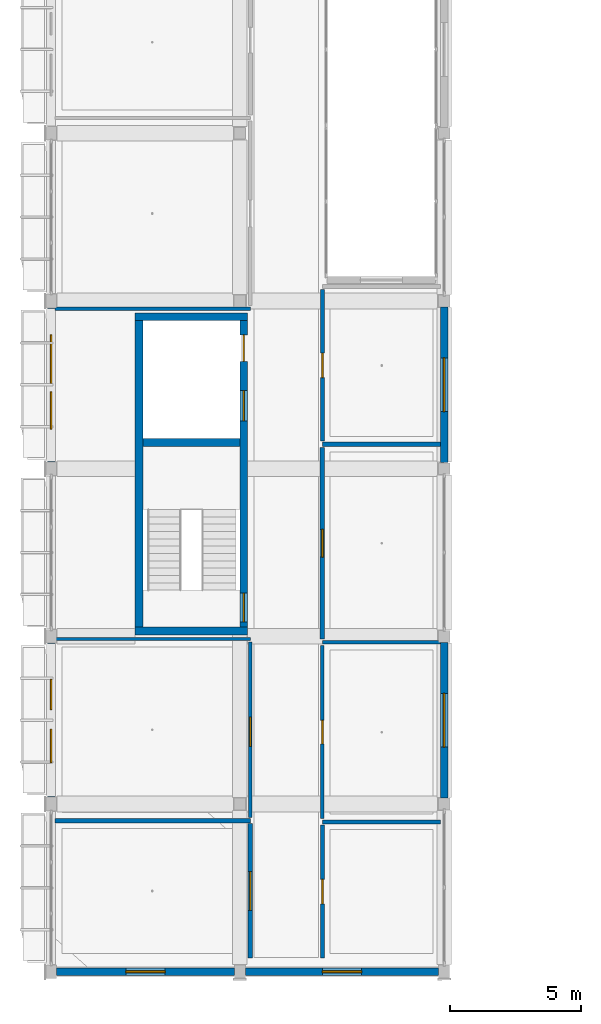
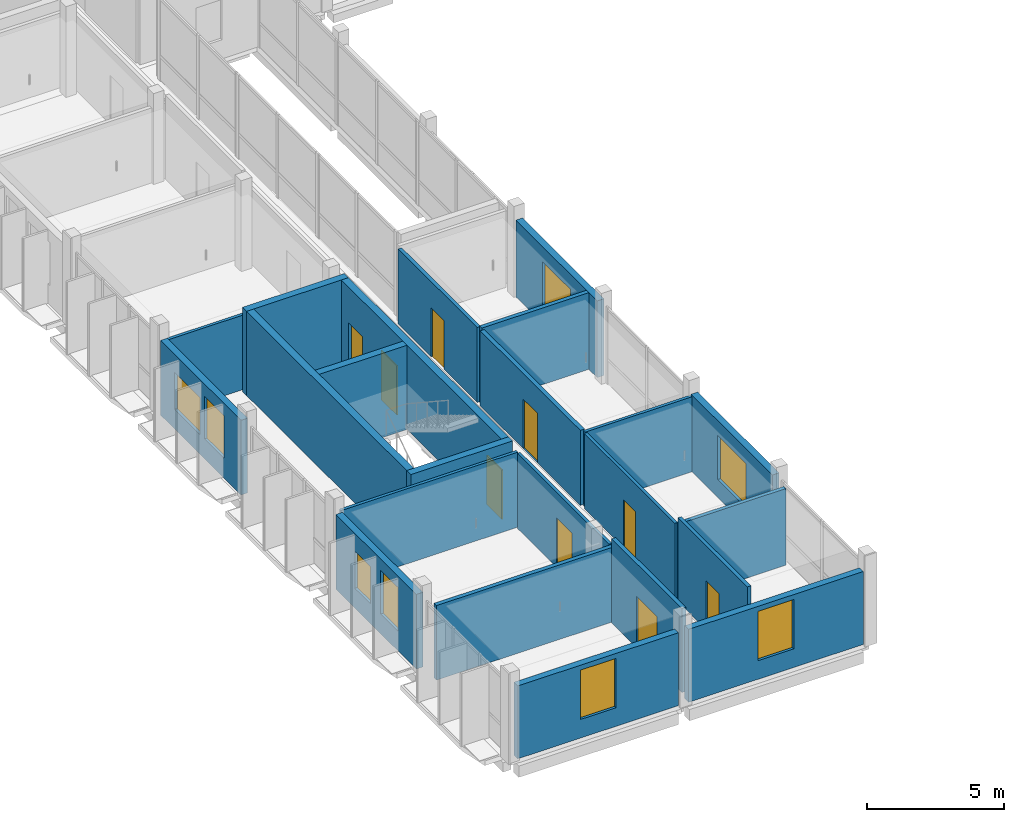
# One storey, part 55 of 86: 23 walls, 9 doors, 8 windows, 17 openings.
"""IFC4 building model written with IfcOpenShell, lengths in metres."""

from ifc_helpers import new_model, si_unit, derived_unit, direction, frame, frame_2d, origin, origin_with_axes, place, context, subcontext, project, spatial, rectangle, extrude, material, layer, layer_set, type_object, element, fill, save


model = new_model("IFC4")

# Units and contexts
model_context = context("Model", 3, precision=1e-05, world=origin(), true_north=direction((0.0, 1.0)))
body_context = subcontext(model_context, "Body", "Model", "MODEL_VIEW")
ifc_project = project(units=[si_unit("LENGTHUNIT", "METRE"), si_unit("AREAUNIT", "SQUARE_METRE"), si_unit("VOLUMEUNIT", "CUBIC_METRE"), si_unit("PLANEANGLEUNIT", "RADIAN"), si_unit("MASSUNIT", "GRAM", prefix="KILO"), derived_unit("THERMALTRANSMITTANCEUNIT", [(si_unit("POWERUNIT", "WATT"), 1), (si_unit("LENGTHUNIT", "METRE"), -2), (si_unit("THERMODYNAMICTEMPERATUREUNIT", "KELVIN"), -1)])], contexts=[model_context])

# Site, building, storey
site_placement = place(None, origin())
site = spatial("IfcSite", under=ifc_project, at=site_placement, CompositionType="ELEMENT")
building_placement = place(site_placement, origin())
building = spatial("IfcBuilding", under=site, at=building_placement, Name="Braskholm Square Health Centre", CompositionType="ELEMENT")
storey_placement = place(building_placement, frame((0.0, 0.0, 13.5)))
storey = spatial("IfcBuildingStorey", under=building, at=storey_placement, Name="L04", CompositionType="ELEMENT", Elevation=13.5)

# Wall, opening, door
ifc_material_1 = material(Name="Fire-rated gypsum board barrier")
ifc_layer_1 = layer(ifc_material_1, 0.175048828125)
ifc_layer_set_1 = layer_set([ifc_layer_1], Name="Fire-rated gypsum board barrier")
wall_type_1 = type_object("IfcWallType", Name="AmbulatoryFirePartition175", PredefinedType="PARTITIONING", material=ifc_layer_set_1)
wall_1_placement = place(storey_placement, frame((11.800048828125, 4.719970703125, 0.0), z_axis=(0.0, 0.0, 1.0), x_axis=(0.0, 1.0, 0.0)))
wall_1 = element("IfcWall", 1, at=wall_1_placement, inside=storey, type_object=wall_type_1, Name="Interior partition PWALL-L04-0158", PredefinedType="PARTITIONING", context=body_context, shape_type="SweptSolid", body=[
    extrude(rectangle(XDim=5.130126953125, YDim=0.175048828125, at=frame_2d((2.56494140625, 0.0))), origin(), (0.0, 0.0, 1.0), 3.7451171875),
])
opening_1_placement = place(wall_1_placement, frame((1.824951171875, 0.0, 0.0)))
opening_1 = element("IfcOpeningElement", 2, at=opening_1_placement, cuts=wall_1, Name="Opening D-27", PredefinedType="OPENING", context=body_context, shape_type="SweptSolid", body=[
    extrude(rectangle(XDim=1.47998046875, YDim=2.280029296875, at=frame_2d((0.739990234375, 1.14013671875))), frame((0.0, 0.09765625, 0.0), z_axis=(0.0, -1.0, 0.0), x_axis=(1.0, 0.0, 0.0)), (0.0, 0.0, 1.0), 0.195068359375),
])
ifc_material_2 = material(Name="Architectural bronze anodised aluminium", Category="aluminium")
door_type_1 = type_object("IfcDoorType", Name="DoorProcedurePair1480x2280", OperationType="DOUBLE_DOOR_SINGLE_SWING", PredefinedType="DOOR", material=ifc_material_2)
door_1_placement = place(opening_1_placement, origin_with_axes())
door_1 = element("IfcDoor", 3, at=door_1_placement, inside=storey, type_object=door_type_1, Name="Interior door 0073 L04", OperationType="DOUBLE_DOOR_SINGLE_SWING", OverallHeight=2.280029296875, OverallWidth=1.47998046875, PredefinedType="DOOR", context=body_context, shape_type="SweptSolid", body=[
    extrude(rectangle(XDim=1.47998046875, YDim=2.280029296875, at=frame_2d((0.739990234375, 1.14013671875))), frame((0.0, 0.02490234375, 0.0), z_axis=(0.0, -1.0, 0.0), x_axis=(1.0, 0.0, 0.0)), (0.0, 0.0, 1.0), 0.050048828125),
])
fill(opening_1, door_1)

# Wall
wall_2_placement = place(storey_placement, frame((4.340087890625, 9.969970703125, 0.0), z_axis=(0.0, 0.0, 1.0), x_axis=(1.0, 0.0, 0.0)))
element("IfcWall", 4, at=wall_2_placement, inside=storey, type_object=wall_type_1, Name="Interior partition PWALL-L04-0159", PredefinedType="PARTITIONING", context=body_context, shape_type="SweptSolid", body=[
    extrude(rectangle(XDim=7.4599609375, YDim=0.175048828125, at=frame_2d((3.72998046875, 0.0))), origin(), (0.0, 0.0, 1.0), 3.324951171875),
])

# Wall, opening, door
wall_3_placement = place(storey_placement, frame((14.550048828125, 16.889892578125, 0.0), z_axis=(0.0, 0.0, 1.0), x_axis=(0.0, 1.0, 0.0)))
wall_3 = element("IfcWall", 5, at=wall_3_placement, inside=storey, type_object=wall_type_1, Name="Interior partition PWALL-L04-0186", PredefinedType="PARTITIONING", context=body_context, shape_type="SweptSolid", body=[
    extrude(rectangle(XDim=7.320068359375, YDim=0.175048828125, at=frame_2d((3.66015625, 0.0))), origin(), (0.0, 0.0, 1.0), 3.344970703125),
])
opening_2_placement = place(wall_3_placement, frame((3.1298828125, 0.0, 0.0)))
opening_2 = element("IfcOpeningElement", 6, at=opening_2_placement, cuts=wall_3, Name="Opening D-18", PredefinedType="OPENING", context=body_context, shape_type="SweptSolid", body=[
    extrude(rectangle(XDim=1.06005859375, YDim=2.199951171875, at=frame_2d((0.530029296875, 1.10009765625))), frame((0.0, 0.09765625, 0.0), z_axis=(0.0, -1.0, 0.0), x_axis=(1.0, 0.0, 0.0)), (0.0, 0.0, 1.0), 0.195068359375),
])
door_type_2 = type_object("IfcDoorType", Name="DoorFirePartitionSingle1060x2200", OperationType="NOTDEFINED", PredefinedType="DOOR", material=ifc_material_2)
door_2_placement = place(opening_2_placement, frame((1.06005859375, 0.0, 0.0), z_axis=(0.0, 0.0, 1.0), x_axis=(-1.0, 0.0, 0.0)))
door_2 = element("IfcDoor", 7, at=door_2_placement, inside=storey, type_object=door_type_2, Name="Interior door 0086 L04", OperationType="SINGLE_SWING_RIGHT", OverallHeight=2.199951171875, OverallWidth=1.06005859375, PredefinedType="DOOR", context=body_context, shape_type="SweptSolid", body=[
    extrude(rectangle(XDim=1.06005859375, YDim=2.199951171875, at=frame_2d((0.530029296875, 1.10009765625))), frame((0.0, 0.02490234375, 0.0), z_axis=(0.0, -1.0, 0.0), x_axis=(1.0, 0.0, 0.0)), (0.0, 0.0, 1.0), 0.050048828125),
])
fill(opening_2, door_2)

# Wall
wall_4_placement = place(storey_placement, frame((14.550048828125, 24.330078125, 0.0), z_axis=(0.0, 0.0, 1.0), x_axis=(1.0, 0.0, 0.0)))
element("IfcWall", 8, at=wall_4_placement, inside=storey, type_object=wall_type_1, Name="Interior partition PWALL-L04-0187", PredefinedType="PARTITIONING", context=body_context, shape_type="SweptSolid", body=[
    extrude(rectangle(XDim=4.510009765625, YDim=0.175048828125, at=frame_2d((2.2548828125, 0.0))), origin(), (0.0, 0.0, 1.0), 3.4150390625),
])

# Wall, opening, door
ifc_material_3 = material(Name="Acoustic gypsum board partition")
ifc_layer_2 = layer(ifc_material_3, 0.125)
ifc_layer_set_2 = layer_set([ifc_layer_2], Name="Acoustic gypsum board partition")
wall_type_2 = type_object("IfcWallType", Name="ClinicalExamPartition125", PredefinedType="PARTITIONING", material=ifc_layer_set_2)
wall_5_placement = place(storey_placement, frame((11.800048828125, 10.090087890625, 0.0), z_axis=(0.0, 0.0, 1.0), x_axis=(0.0, 1.0, 0.0)))
wall_5 = element("IfcWall", 9, at=wall_5_placement, inside=storey, type_object=wall_type_2, Name="Interior partition PWALL-L04-0160", PredefinedType="PARTITIONING", context=body_context, shape_type="SweptSolid", body=[
    extrude(rectangle(XDim=6.68994140625, YDim=0.125, at=frame_2d((3.344970703125, 0.0))), origin(), (0.0, 0.0, 1.0), 3.344970703125),
])
opening_3_placement = place(wall_5_placement, frame((2.7080078125, 0.0, 0.0)))
opening_3 = element("IfcOpeningElement", 10, at=opening_3_placement, cuts=wall_5, Name="Opening D-03", PredefinedType="OPENING", context=body_context, shape_type="SweptSolid", body=[
    extrude(rectangle(XDim=1.1201171875, YDim=2.199951171875, at=frame_2d((0.56005859375, 1.10009765625))), frame((0.0, 0.072509765625, 0.0), z_axis=(0.0, -1.0, 0.0), x_axis=(1.0, 0.0, 0.0)), (0.0, 0.0, 1.0), 0.14501953125),
])
door_type_3 = type_object("IfcDoorType", Name="DoorProcedure1120x2200", OperationType="NOTDEFINED", PredefinedType="DOOR", material=ifc_material_2)
door_3_placement = place(opening_3_placement, origin_with_axes())
door_3 = element("IfcDoor", 11, at=door_3_placement, inside=storey, type_object=door_type_3, Name="Interior door 0074 L04", OperationType="SINGLE_SWING_RIGHT", OverallHeight=2.199951171875, OverallWidth=1.1201171875, PredefinedType="DOOR", context=body_context, shape_type="SweptSolid", body=[
    extrude(rectangle(XDim=1.1201171875, YDim=2.199951171875, at=frame_2d((0.56005859375, 1.10009765625))), frame((0.0, 0.02490234375, 0.0), z_axis=(0.0, -1.0, 0.0), x_axis=(1.0, 0.0, 0.0)), (0.0, 0.0, 1.0), 0.050048828125),
])
fill(opening_3, door_3)

# Walls
wall_6_placement = place(storey_placement, frame((4.340087890625, 16.89990234375, 0.0), z_axis=(0.0, 0.0, 1.0), x_axis=(1.0, 0.0, 0.0)))
element("IfcWall", 12, at=wall_6_placement, inside=storey, type_object=wall_type_2, Name="Interior partition PWALL-L04-0161", PredefinedType="PARTITIONING", context=body_context, shape_type="SweptSolid", body=[
    extrude(rectangle(XDim=7.4599609375, YDim=0.125, at=frame_2d((3.72998046875, 0.0))), origin(), (0.0, 0.0, 1.0), 3.344970703125),
])
wall_7_placement = place(storey_placement, frame((4.340087890625, 29.5, 0.0), z_axis=(0.0, 0.0, 1.0), x_axis=(1.0, 0.0, 0.0)))
element("IfcWall", 13, at=wall_7_placement, inside=storey, type_object=wall_type_2, Name="Interior partition PWALL-L04-0164", PredefinedType="PARTITIONING", context=body_context, shape_type="SweptSolid", body=[
    extrude(rectangle(XDim=7.4599609375, YDim=0.125, at=frame_2d((3.72998046875, 0.0))), origin(), (0.0, 0.0, 1.0), 3.324951171875),
])

# Wall, opening, door
wall_8_placement = place(storey_placement, frame((14.550048828125, 10.0400390625, 0.0), z_axis=(0.0, 0.0, 1.0), x_axis=(0.0, 1.0, 0.0)))
wall_8 = element("IfcWall", 14, at=wall_8_placement, inside=storey, type_object=wall_type_2, Name="Interior partition PWALL-L04-0184", PredefinedType="PARTITIONING", context=body_context, shape_type="SweptSolid", body=[
    extrude(rectangle(XDim=6.60986328125, YDim=0.125, at=frame_2d((3.304931640625, 0.0))), origin(), (0.0, 0.0, 1.0), 3.344970703125),
])
opening_4_placement = place(wall_8_placement, frame((2.85498046875, 0.0, 0.0)))
opening_4 = element("IfcOpeningElement", 15, at=opening_4_placement, cuts=wall_8, Name="Opening D-07", PredefinedType="OPENING", context=body_context, shape_type="SweptSolid", body=[
    extrude(rectangle(XDim=0.89990234375, YDim=2.1201171875, at=frame_2d((0.449951171875, 1.06005859375))), frame((0.0, 0.072509765625, 0.0), z_axis=(0.0, -1.0, 0.0), x_axis=(1.0, 0.0, 0.0)), (0.0, 0.0, 1.0), 0.14501953125),
])
door_type_4 = type_object("IfcDoorType", Name="DoorProviderOffice900x2120", OperationType="NOTDEFINED", PredefinedType="DOOR", material=ifc_material_2)
door_4_placement = place(opening_4_placement, frame((0.89990234375, 0.0, 0.0), z_axis=(0.0, 0.0, 1.0), x_axis=(-1.0, 0.0, 0.0)))
door_4 = element("IfcDoor", 16, at=door_4_placement, inside=storey, type_object=door_type_4, Name="Interior door 0085 L04", OperationType="SINGLE_SWING_LEFT", OverallHeight=2.1201171875, OverallWidth=0.89990234375, PredefinedType="DOOR", context=body_context, shape_type="SweptSolid", body=[
    extrude(rectangle(XDim=0.89990234375, YDim=2.1201171875, at=frame_2d((0.449951171875, 1.06005859375))), frame((0.0, 0.02490234375, 0.0), z_axis=(0.0, -1.0, 0.0), x_axis=(1.0, 0.0, 0.0)), (0.0, 0.0, 1.0), 0.050048828125),
])
fill(opening_4, door_4)

# Wall
wall_9_placement = place(storey_placement, frame((14.550048828125, 16.77001953125, 0.0), z_axis=(0.0, 0.0, 1.0), x_axis=(1.0, 0.0, 0.0)))
element("IfcWall", 17, at=wall_9_placement, inside=storey, type_object=wall_type_2, Name="Interior partition PWALL-L04-0185", PredefinedType="PARTITIONING", context=body_context, shape_type="SweptSolid", body=[
    extrude(rectangle(XDim=4.510009765625, YDim=0.125, at=frame_2d((2.2548828125, 0.0))), origin(), (0.0, 0.0, 1.0), 3.344970703125),
])

# Wall, opening, door
ifc_layer_3 = layer(ifc_material_3, 0.14990234375)
ifc_layer_set_3 = layer_set([ifc_layer_3], Name="Acoustic gypsum board partition")
wall_type_3 = type_object("IfcWallType", Name="CorridorAcousticPartition150", PredefinedType="PARTITIONING", material=ifc_layer_set_3)
wall_10_placement = place(storey_placement, frame((14.550048828125, 4.719970703125, 0.0), z_axis=(0.0, 0.0, 1.0), x_axis=(0.0, 1.0, 0.0)))
wall_10 = element("IfcWall", 18, at=wall_10_placement, inside=storey, type_object=wall_type_3, Name="Interior partition PWALL-L04-0182", PredefinedType="PARTITIONING", context=body_context, shape_type="SweptSolid", body=[
    extrude(rectangle(XDim=5.080078125, YDim=0.14990234375, at=frame_2d((2.5400390625, 0.0))), origin(), (0.0, 0.0, 1.0), 3.7451171875),
])
opening_5_placement = place(wall_10_placement, frame((2.070068359375, 0.0, 0.0)))
opening_5 = element("IfcOpeningElement", 19, at=opening_5_placement, cuts=wall_10, Name="Opening D-08", PredefinedType="OPENING", context=body_context, shape_type="SweptSolid", body=[
    extrude(rectangle(XDim=0.93994140625, YDim=2.179931640625, at=frame_2d((0.469970703125, 1.08984375))), frame((0.0, 0.0849609375, 0.0), z_axis=(0.0, -1.0, 0.0), x_axis=(1.0, 0.0, 0.0)), (0.0, 0.0, 1.0), 0.169921875),
])
door_type_5 = type_object("IfcDoorType", Name="DoorCounseling940x2180", OperationType="NOTDEFINED", PredefinedType="DOOR", material=ifc_material_2)
door_5_placement = place(opening_5_placement, frame((0.93994140625, 0.0, 0.0), z_axis=(0.0, 0.0, 1.0), x_axis=(-1.0, 0.0, 0.0)))
door_5 = element("IfcDoor", 20, at=door_5_placement, inside=storey, type_object=door_type_5, Name="Interior door 0084 L04", OperationType="SINGLE_SWING_RIGHT", OverallHeight=2.179931640625, OverallWidth=0.93994140625, PredefinedType="DOOR", context=body_context, shape_type="SweptSolid", body=[
    extrude(rectangle(XDim=0.93994140625, YDim=2.179931640625, at=frame_2d((0.469970703125, 1.08984375))), frame((0.0, 0.02490234375, 0.0), z_axis=(0.0, -1.0, 0.0), x_axis=(1.0, 0.0, 0.0)), (0.0, 0.0, 1.0), 0.050048828125),
])
fill(opening_5, door_5)

# Wall
wall_11_placement = place(storey_placement, frame((14.550048828125, 9.919921875, 0.0), z_axis=(0.0, 0.0, 1.0), x_axis=(1.0, 0.0, 0.0)))
element("IfcWall", 21, at=wall_11_placement, inside=storey, type_object=wall_type_3, Name="Interior partition PWALL-L04-0183", PredefinedType="PARTITIONING", context=body_context, shape_type="SweptSolid", body=[
    extrude(rectangle(XDim=4.510009765625, YDim=0.14990234375, at=frame_2d((2.2548828125, 0.0))), origin(), (0.0, 0.0, 1.0), 3.4150390625),
])

# Wall, opening, door
wall_12_placement = place(storey_placement, frame((14.550048828125, 24.449951171875, 0.0), z_axis=(0.0, 0.0, 1.0), x_axis=(0.0, 1.0, 0.0)))
wall_12 = element("IfcWall", 22, at=wall_12_placement, inside=storey, type_object=wall_type_3, Name="Interior partition PWALL-L04-0188", PredefinedType="PARTITIONING", context=body_context, shape_type="SweptSolid", body=[
    extrude(rectangle(XDim=5.780029296875, YDim=0.14990234375, at=frame_2d((2.89013671875, 0.0))), origin(), (0.0, 0.0, 1.0), 3.344970703125),
])
opening_6_placement = place(wall_12_placement, frame((2.419921875, 0.0, 0.0)))
opening_6 = element("IfcOpeningElement", 23, at=opening_6_placement, cuts=wall_12, Name="Opening D-08", PredefinedType="OPENING", context=body_context, shape_type="SweptSolid", body=[
    extrude(rectangle(XDim=0.93994140625, YDim=2.179931640625, at=frame_2d((0.469970703125, 1.08984375))), frame((0.0, 0.0849609375, 0.0), z_axis=(0.0, -1.0, 0.0), x_axis=(1.0, 0.0, 0.0)), (0.0, 0.0, 1.0), 0.169921875),
])
door_6_placement = place(opening_6_placement, frame((0.93994140625, 0.0, 0.0), z_axis=(0.0, 0.0, 1.0), x_axis=(-1.0, 0.0, 0.0)))
door_6 = element("IfcDoor", 24, at=door_6_placement, inside=storey, type_object=door_type_5, Name="Interior door 0087 L04", OperationType="SINGLE_SWING_LEFT", OverallHeight=2.179931640625, OverallWidth=0.93994140625, PredefinedType="DOOR", context=body_context, shape_type="SweptSolid", body=[
    extrude(rectangle(XDim=0.93994140625, YDim=2.179931640625, at=frame_2d((0.469970703125, 1.08984375))), frame((0.0, 0.02490234375, 0.0), z_axis=(0.0, -1.0, 0.0), x_axis=(1.0, 0.0, 0.0)), (0.0, 0.0, 1.0), 0.050048828125),
])
fill(opening_6, door_6)

# Wall, openings, windows
ifc_material_4 = material(Name="Precast concrete C40/50 architectural white", Category="concrete")
ifc_layer_4 = layer(ifc_material_4, 0.280029296875)
ifc_layer_set_4 = layer_set([ifc_layer_4], Name="Precast concrete C40/50 architectural white")
wall_type_4 = type_object("IfcWallType", Name="ExteriorPrecastSpandrelWall280", PredefinedType="SOLIDWALL", material=ifc_layer_set_4)
wall_13_placement = place(storey_placement, frame((4.199951171875, 16.738037109375, 0.0), z_axis=(0.0, 0.0, 1.0), x_axis=(0.0, -1.0, 0.0)))
wall_13 = element("IfcWall", 25, at=wall_13_placement, inside=storey, type_object=wall_type_4, Name="Exterior wall EWALL-L04-0028", PredefinedType="SOLIDWALL", context=body_context, shape_type="SweptSolid", body=[
    extrude(rectangle(XDim=5.8759765625, YDim=0.280029296875, at=frame_2d((2.93798828125, 0.0))), origin(), (0.0, 0.0, 1.0), 3.330078125),
])
opening_7_placement = place(wall_13_placement, frame((1.384033203125, 0.0, 0.8798828125)))
opening_7 = element("IfcOpeningElement", 26, at=opening_7_placement, cuts=wall_13, Name="Opening WN-19", PredefinedType="OPENING", context=body_context, shape_type="SweptSolid", body=[
    extrude(rectangle(XDim=1.14990234375, YDim=1.64990234375, at=frame_2d((0.574951171875, 0.824951171875))), frame((0.0, 0.14990234375, 0.0), z_axis=(0.0, -1.0, 0.0), x_axis=(1.0, 0.0, 0.0)), (0.0, 0.0, 1.0), 0.300048828125),
])
opening_8_placement = place(wall_13_placement, frame((3.277099609375, 0.0, 0.8798828125)))
opening_8 = element("IfcOpeningElement", 27, at=opening_8_placement, cuts=wall_13, Name="Opening WN-35", PredefinedType="OPENING", context=body_context, shape_type="SweptSolid", body=[
    extrude(rectangle(XDim=1.280029296875, YDim=1.949951171875, at=frame_2d((0.64013671875, 0.97509765625))), frame((0.0, 0.14990234375, 0.0), z_axis=(0.0, -1.0, 0.0), x_axis=(1.0, 0.0, 0.0)), (0.0, 0.0, 1.0), 0.300048828125),
])
ifc_material_5 = material(Name="Low-E triple insulating glass (VLT 0.64)", Category="glass")
window_type_1 = type_object("IfcWindowType", Name="WinArtDecoMed1280x1950", PartitioningType="SINGLE_PANEL", PredefinedType="WINDOW", material=ifc_material_5)
window_1_placement = place(opening_8_placement, origin_with_axes())
window_1 = element("IfcWindow", 28, at=window_1_placement, inside=storey, type_object=window_type_1, Name="Exterior window 0052 L04", OverallHeight=1.949951171875, OverallWidth=1.280029296875, PartitioningType="SINGLE_PANEL", PredefinedType="WINDOW", context=body_context, shape_type="SweptSolid", body=[
    extrude(rectangle(XDim=1.280029296875, YDim=1.949951171875, at=frame_2d((0.64013671875, 0.97509765625))), frame((0.0, 0.030029296875, 0.0), z_axis=(0.0, -1.0, 0.0), x_axis=(1.0, 0.0, 0.0)), (0.0, 0.0, 1.0), 0.06005859375),
])
fill(opening_8, window_1)
window_type_2 = type_object("IfcWindowType", Name="WinBehavioralCalm1150x1650", PartitioningType="SINGLE_PANEL", PredefinedType="WINDOW", material=ifc_material_5)
window_2_placement = place(opening_7_placement, origin_with_axes())
window_2 = element("IfcWindow", 29, at=window_2_placement, inside=storey, type_object=window_type_2, Name="Exterior window 0051 L04", OverallHeight=1.64990234375, OverallWidth=1.14990234375, PartitioningType="SINGLE_PANEL", PredefinedType="WINDOW", context=body_context, shape_type="SweptSolid", body=[
    extrude(rectangle(XDim=1.14990234375, YDim=1.64990234375, at=frame_2d((0.574951171875, 0.824951171875))), frame((0.0, 0.030029296875, 0.0), z_axis=(0.0, -1.0, 0.0), x_axis=(1.0, 0.0, 0.0)), (0.0, 0.0, 1.0), 0.06005859375),
])
fill(opening_7, window_2)

wall_14_placement = place(storey_placement, frame((4.199951171875, 29.5380859375, 0.0), z_axis=(0.0, 0.0, 1.0), x_axis=(0.0, -1.0, 0.0)))
wall_14 = element("IfcWall", 30, at=wall_14_placement, inside=storey, type_object=wall_type_4, Name="Exterior wall EWALL-L04-0029", PredefinedType="SOLIDWALL", context=body_context, shape_type="SweptSolid", body=[
    extrude(rectangle(XDim=5.8759765625, YDim=0.280029296875, at=frame_2d((2.93798828125, 0.0))), origin(), (0.0, 0.0, 1.0), 3.330078125),
])
opening_9_placement = place(wall_14_placement, frame((1.033935546875, 0.0, 0.8798828125)))
opening_9 = element("IfcOpeningElement", 31, at=opening_9_placement, cuts=wall_14, Name="Opening WN-20", PredefinedType="OPENING", context=body_context, shape_type="SweptSolid", body=[
    extrude(rectangle(XDim=1.85009765625, YDim=1.64990234375, at=frame_2d((0.925048828125, 0.824951171875))), frame((0.0, 0.14990234375, 0.0), z_axis=(0.0, -1.0, 0.0), x_axis=(1.0, 0.0, 0.0)), (0.0, 0.0, 1.0), 0.300048828125),
])
opening_10_placement = place(wall_14_placement, frame((3.20703125, 0.0, 0.8798828125)))
opening_10 = element("IfcOpeningElement", 32, at=opening_10_placement, cuts=wall_14, Name="Opening WN-36", PredefinedType="OPENING", context=body_context, shape_type="SweptSolid", body=[
    extrude(rectangle(XDim=1.419921875, YDim=1.89990234375, at=frame_2d((0.7099609375, 0.949951171875))), frame((0.0, 0.14990234375, 0.0), z_axis=(0.0, -1.0, 0.0), x_axis=(1.0, 0.0, 0.0)), (0.0, 0.0, 1.0), 0.300048828125),
])
window_type_3 = type_object("IfcWindowType", Name="WinArtDecoMed1420x1900", PartitioningType="SINGLE_PANEL", PredefinedType="WINDOW", material=ifc_material_5)
window_3_placement = place(opening_10_placement, origin_with_axes())
window_3 = element("IfcWindow", 33, at=window_3_placement, inside=storey, type_object=window_type_3, Name="Exterior window 0054 L04", OverallHeight=1.89990234375, OverallWidth=1.419921875, PartitioningType="SINGLE_PANEL", PredefinedType="WINDOW", context=body_context, shape_type="SweptSolid", body=[
    extrude(rectangle(XDim=1.419921875, YDim=1.89990234375, at=frame_2d((0.7099609375, 0.949951171875))), frame((0.0, 0.030029296875, 0.0), z_axis=(0.0, -1.0, 0.0), x_axis=(1.0, 0.0, 0.0)), (0.0, 0.0, 1.0), 0.06005859375),
])
fill(opening_10, window_3)
window_type_4 = type_object("IfcWindowType", Name="WinBehavioralGroup1850x1650", PartitioningType="SINGLE_PANEL", PredefinedType="WINDOW", material=ifc_material_5)
window_4_placement = place(opening_9_placement, origin_with_axes())
window_4 = element("IfcWindow", 34, at=window_4_placement, inside=storey, type_object=window_type_4, Name="Exterior window 0053 L04", OverallHeight=1.64990234375, OverallWidth=1.85009765625, PartitioningType="SINGLE_PANEL", PredefinedType="WINDOW", context=body_context, shape_type="SweptSolid", body=[
    extrude(rectangle(XDim=1.85009765625, YDim=1.64990234375, at=frame_2d((0.925048828125, 0.824951171875))), frame((0.0, 0.030029296875, 0.0), z_axis=(0.0, -1.0, 0.0), x_axis=(1.0, 0.0, 0.0)), (0.0, 0.0, 1.0), 0.06005859375),
])
fill(opening_9, window_4)

# Wall, opening, window
wall_15_placement = place(storey_placement, frame((19.199951171875, 10.826904296875, 0.0), z_axis=(0.0, 0.0, 1.0), x_axis=(0.0, 1.0, 0.0)))
wall_15 = element("IfcWall", 35, at=wall_15_placement, inside=storey, type_object=wall_type_4, Name="Exterior wall EWALL-L04-0130", PredefinedType="SOLIDWALL", context=body_context, shape_type="SweptSolid", body=[
    extrude(rectangle(XDim=5.946044921875, YDim=0.280029296875, at=frame_2d((2.97314453125, 0.0))), origin(), (0.0, 0.0, 1.0), 3.419921875),
])
opening_11_placement = place(wall_15_placement, frame((1.947998046875, 0.0, 0.800048828125)))
opening_11 = element("IfcOpeningElement", 36, at=opening_11_placement, cuts=wall_15, Name="Opening WN-25", PredefinedType="OPENING", context=body_context, shape_type="SweptSolid", body=[
    extrude(rectangle(XDim=2.050048828125, YDim=1.949951171875, at=frame_2d((1.02490234375, 0.97509765625))), frame((0.0, 0.14990234375, 0.0), z_axis=(0.0, -1.0, 0.0), x_axis=(1.0, 0.0, 0.0)), (0.0, 0.0, 1.0), 0.300048828125),
])
window_type_5 = type_object("IfcWindowType", Name="WinValleyTerrace2050x1950", PartitioningType="SINGLE_PANEL", PredefinedType="WINDOW", material=ifc_material_5)
window_5_placement = place(opening_11_placement, origin_with_axes())
window_5 = element("IfcWindow", 37, at=window_5_placement, inside=storey, type_object=window_type_5, Name="Exterior window 0192 L04", OverallHeight=1.949951171875, OverallWidth=2.050048828125, PartitioningType="SINGLE_PANEL", PredefinedType="WINDOW", context=body_context, shape_type="SweptSolid", body=[
    extrude(rectangle(XDim=2.050048828125, YDim=1.949951171875, at=frame_2d((1.02490234375, 0.97509765625))), frame((0.0, 0.030029296875, 0.0), z_axis=(0.0, -1.0, 0.0), x_axis=(1.0, 0.0, 0.0)), (0.0, 0.0, 1.0), 0.06005859375),
])
fill(opening_11, window_5)

wall_16_placement = place(storey_placement, frame((19.199951171875, 23.626953125, 0.0), z_axis=(0.0, 0.0, 1.0), x_axis=(0.0, 1.0, 0.0)))
wall_16 = element("IfcWall", 38, at=wall_16_placement, inside=storey, type_object=wall_type_4, Name="Exterior wall EWALL-L04-0131", PredefinedType="SOLIDWALL", context=body_context, shape_type="SweptSolid", body=[
    extrude(rectangle(XDim=5.946044921875, YDim=0.280029296875, at=frame_2d((2.97314453125, 0.0))), origin(), (0.0, 0.0, 1.0), 3.419921875),
])
opening_12_placement = place(wall_16_placement, frame((1.947998046875, 0.0, 0.800048828125)))
opening_12 = element("IfcOpeningElement", 39, at=opening_12_placement, cuts=wall_16, Name="Opening WN-25", PredefinedType="OPENING", context=body_context, shape_type="SweptSolid", body=[
    extrude(rectangle(XDim=2.050048828125, YDim=1.949951171875, at=frame_2d((1.02490234375, 0.97509765625))), frame((0.0, 0.14990234375, 0.0), z_axis=(0.0, -1.0, 0.0), x_axis=(1.0, 0.0, 0.0)), (0.0, 0.0, 1.0), 0.300048828125),
])
window_6_placement = place(opening_12_placement, origin_with_axes())
window_6 = element("IfcWindow", 40, at=window_6_placement, inside=storey, type_object=window_type_5, Name="Exterior window 0193 L04", OverallHeight=1.949951171875, OverallWidth=2.050048828125, PartitioningType="SINGLE_PANEL", PredefinedType="WINDOW", context=body_context, shape_type="SweptSolid", body=[
    extrude(rectangle(XDim=2.050048828125, YDim=1.949951171875, at=frame_2d((1.02490234375, 0.97509765625))), frame((0.0, 0.030029296875, 0.0), z_axis=(0.0, -1.0, 0.0), x_axis=(1.0, 0.0, 0.0)), (0.0, 0.0, 1.0), 0.06005859375),
])
fill(opening_12, window_6)

wall_17_placement = place(storey_placement, frame((4.412109375, 4.199951171875, 0.0), z_axis=(0.0, 0.0, 1.0), x_axis=(1.0, 0.0, 0.0)))
wall_17 = element("IfcWall", 41, at=wall_17_placement, inside=storey, type_object=wall_type_4, Name="Exterior wall EWALL-L04-0229", PredefinedType="SOLIDWALL", context=body_context, shape_type="SweptSolid", body=[
    extrude(rectangle(XDim=6.77587890625, YDim=0.280029296875, at=frame_2d((3.387939453125, 0.0))), origin(), (0.0, 0.0, 1.0), 3.25),
])
opening_13_placement = place(wall_17_placement, frame((2.637939453125, 0.0, 0.830078125)))
opening_13 = element("IfcOpeningElement", 42, at=opening_13_placement, cuts=wall_17, Name="Opening WN-03", PredefinedType="OPENING", context=body_context, shape_type="SweptSolid", body=[
    extrude(rectangle(XDim=1.5, YDim=2.199951171875, at=frame_2d((0.75, 1.10009765625))), frame((0.0, 0.14990234375, 0.0), z_axis=(0.0, -1.0, 0.0), x_axis=(1.0, 0.0, 0.0)), (0.0, 0.0, 1.0), 0.300048828125),
])
window_type_6 = type_object("IfcWindowType", Name="WinArtDecoTwin1500x2200", PartitioningType="SINGLE_PANEL", PredefinedType="WINDOW", material=ifc_material_5)
window_7_placement = place(opening_13_placement, origin_with_axes())
window_7 = element("IfcWindow", 43, at=window_7_placement, inside=storey, type_object=window_type_6, Name="Exterior window 0283 L04", OverallHeight=2.199951171875, OverallWidth=1.5, PartitioningType="SINGLE_PANEL", PredefinedType="WINDOW", context=body_context, shape_type="SweptSolid", body=[
    extrude(rectangle(XDim=1.5, YDim=2.199951171875, at=frame_2d((0.75, 1.10009765625))), frame((0.0, 0.030029296875, 0.0), z_axis=(0.0, -1.0, 0.0), x_axis=(1.0, 0.0, 0.0)), (0.0, 0.0, 1.0), 0.06005859375),
])
fill(opening_13, window_7)

wall_18_placement = place(storey_placement, frame((11.612060546875, 4.199951171875, 0.0), z_axis=(0.0, 0.0, 1.0), x_axis=(1.0, 0.0, 0.0)))
wall_18 = element("IfcWall", 44, at=wall_18_placement, inside=storey, type_object=wall_type_4, Name="Exterior wall EWALL-L04-0230", PredefinedType="SOLIDWALL", context=body_context, shape_type="SweptSolid", body=[
    extrude(rectangle(XDim=7.3759765625, YDim=0.280029296875, at=frame_2d((3.68798828125, 0.0))), origin(), (0.0, 0.0, 1.0), 3.25),
])
opening_14_placement = place(wall_18_placement, frame((2.93798828125, 0.0, 0.830078125)))
opening_14 = element("IfcOpeningElement", 45, at=opening_14_placement, cuts=wall_18, Name="Opening WN-03", PredefinedType="OPENING", context=body_context, shape_type="SweptSolid", body=[
    extrude(rectangle(XDim=1.5, YDim=2.199951171875, at=frame_2d((0.75, 1.10009765625))), frame((0.0, 0.14990234375, 0.0), z_axis=(0.0, -1.0, 0.0), x_axis=(1.0, 0.0, 0.0)), (0.0, 0.0, 1.0), 0.300048828125),
])
window_8_placement = place(opening_14_placement, origin_with_axes())
window_8 = element("IfcWindow", 46, at=window_8_placement, inside=storey, type_object=window_type_6, Name="Exterior window 0284 L04", OverallHeight=2.199951171875, OverallWidth=1.5, PartitioningType="SINGLE_PANEL", PredefinedType="WINDOW", context=body_context, shape_type="SweptSolid", body=[
    extrude(rectangle(XDim=1.5, YDim=2.199951171875, at=frame_2d((0.75, 1.10009765625))), frame((0.0, 0.030029296875, 0.0), z_axis=(0.0, -1.0, 0.0), x_axis=(1.0, 0.0, 0.0)), (0.0, 0.0, 1.0), 0.06005859375),
])
fill(opening_14, window_8)

# Walls
ifc_material_6 = material(Name="Concrete C40/50 (f'c = 40 MPa)", Category="concrete")
ifc_layer_5 = layer(ifc_material_6, 0.300048828125)
ifc_layer_set_5 = layer_set([ifc_layer_5], Name="Concrete C40/50 (f'c = 40 MPa)")
wall_type_5 = type_object("IfcWallType", Name="ShearCoreWall300", PredefinedType="SHEAR", material=ifc_layer_set_5)
for number, where, z_axis, x_axis, name in (
    (47, (7.39990234375, 17.199951171875, 0.0), (0.0, 0.0, 1.0), (1.0, 0.0, 0.0), "CWALL-K1-L04 south wall"),
    (48, (11.699951171875, 29.199951171875, 0.0), (0.0, 0.0, 1.0), (-1.0, 0.0, 0.0), "CWALL-K1-L04 north wall"),
):
    element("IfcWall", number, at=place(storey_placement, frame(where, z_axis=z_axis, x_axis=x_axis)), inside=storey, type_object=wall_type_5, Name=name, PredefinedType="SHEAR", context=body_context, shape_type="SweptSolid", body=[
        extrude(rectangle(XDim=4.300048828125, YDim=0.300048828125, at=frame_2d((2.14990234375, 0.0))), origin(), (0.0, 0.0, 1.0), 3.75),
    ])
wall_19_placement = place(storey_placement, frame((7.550048828125, 29.050048828125, 0.0), z_axis=(0.0, 0.0, 1.0), x_axis=(0.0, -1.0, 0.0)))
element("IfcWall", 49, at=wall_19_placement, inside=storey, type_object=wall_type_5, Name="CWALL-K1-L04 west wall", PredefinedType="SHEAR", context=body_context, shape_type="SweptSolid", body=[
    extrude(rectangle(XDim=11.699951171875, YDim=0.300048828125, at=frame_2d((5.85009765625, 0.0))), origin(), (0.0, 0.0, 1.0), 3.75),
])

# Wall, openings, doors
wall_20_placement = place(storey_placement, frame((11.550048828125, 17.35009765625, 0.0), z_axis=(0.0, 0.0, 1.0), x_axis=(0.0, 1.0, 0.0)))
wall_20 = element("IfcWall", 50, at=wall_20_placement, inside=storey, type_object=wall_type_5, Name="CWALL-K1-L04 east wall", PredefinedType="SHEAR", context=body_context, shape_type="SweptSolid", body=[
    extrude(rectangle(XDim=11.699951171875, YDim=0.300048828125, at=frame_2d((5.85009765625, 0.0))), origin(), (0.0, 0.0, 1.0), 3.75),
])
opening_15_placement = place(wall_20_placement, frame((0.199951171875, 0.0, 0.0)))
opening_15 = element("IfcOpeningElement", 51, at=opening_15_placement, cuts=wall_20, Name="Opening D-22", PredefinedType="OPENING", context=body_context, shape_type="SweptSolid", body=[
    extrude(rectangle(XDim=1.10009765625, YDim=2.199951171875, at=frame_2d((0.550048828125, 1.10009765625))), frame((0.0, 0.16015625, 0.0), z_axis=(0.0, -1.0, 0.0), x_axis=(1.0, 0.0, 0.0)), (0.0, 0.0, 1.0), 0.320068359375),
])
opening_16_placement = place(wall_20_placement, frame((7.875, 0.0, 0.0)))
opening_16 = element("IfcOpeningElement", 52, at=opening_16_placement, cuts=wall_20, Name="Opening LD-1", PredefinedType="OPENING", context=body_context, shape_type="SweptSolid", body=[
    extrude(rectangle(XDim=1.14990234375, YDim=2.199951171875, at=frame_2d((0.574951171875, 1.10009765625))), frame((0.0, 0.16015625, 0.0), z_axis=(0.0, -1.0, 0.0), x_axis=(1.0, 0.0, 0.0)), (0.0, 0.0, 1.0), 0.320068359375),
])
opening_17_placement = place(wall_20_placement, frame((10.139892578125, 0.0, 0.0)))
opening_17 = element("IfcOpeningElement", 53, at=opening_17_placement, cuts=wall_20, Name="Opening LD-2", PredefinedType="OPENING", context=body_context, shape_type="SweptSolid", body=[
    extrude(rectangle(XDim=1.02001953125, YDim=2.14990234375, at=frame_2d((0.510009765625, 1.074951171875))), frame((0.0, 0.16015625, 0.0), z_axis=(0.0, -1.0, 0.0), x_axis=(1.0, 0.0, 0.0)), (0.0, 0.0, 1.0), 0.320068359375),
])
door_type_6 = type_object("IfcDoorType", Name="DoorLiftLandingPassenger1020x2150", OperationType="SLIDING_TO_LEFT", PredefinedType="DOOR", material=ifc_material_2)
door_7_placement = place(opening_17_placement, origin_with_axes())
door_7 = element("IfcDoor", 54, at=door_7_placement, inside=storey, type_object=door_type_6, Name="Elevator EL-03 sliding landing door L04", OperationType="SLIDING_TO_LEFT", OverallHeight=2.14990234375, OverallWidth=1.02001953125, PredefinedType="DOOR", context=body_context, shape_type="SweptSolid", body=[
    extrude(rectangle(XDim=1.02001953125, YDim=2.14990234375, at=frame_2d((0.510009765625, 1.074951171875))), frame((0.0, 0.02490234375, 0.0), z_axis=(0.0, -1.0, 0.0), x_axis=(1.0, 0.0, 0.0)), (0.0, 0.0, 1.0), 0.050048828125),
])
fill(opening_17, door_7)
door_type_7 = type_object("IfcDoorType", Name="DoorLiftLandingStretcher1150x2200", OperationType="SLIDING_TO_LEFT", PredefinedType="DOOR", material=ifc_material_2)
door_8_placement = place(opening_16_placement, origin_with_axes())
door_8 = element("IfcDoor", 55, at=door_8_placement, inside=storey, type_object=door_type_7, Name="Elevator EL-01 sliding landing door L04", OperationType="SLIDING_TO_LEFT", OverallHeight=2.199951171875, OverallWidth=1.14990234375, PredefinedType="DOOR", context=body_context, shape_type="SweptSolid", body=[
    extrude(rectangle(XDim=1.14990234375, YDim=2.199951171875, at=frame_2d((0.574951171875, 1.10009765625))), frame((0.0, 0.02490234375, 0.0), z_axis=(0.0, -1.0, 0.0), x_axis=(1.0, 0.0, 0.0)), (0.0, 0.0, 1.0), 0.050048828125),
])
fill(opening_16, door_8)
door_type_8 = type_object("IfcDoorType", Name="DoorStairEnclosure1100x2200", OperationType="NOTDEFINED", PredefinedType="DOOR", material=ifc_material_2)
door_9_placement = place(opening_15_placement, origin_with_axes())
door_9 = element("IfcDoor", 56, at=door_9_placement, inside=storey, type_object=door_type_8, Name="Stair ST-01 door L04", OperationType="SINGLE_SWING_RIGHT", OverallHeight=2.199951171875, OverallWidth=1.10009765625, PredefinedType="DOOR", context=body_context, shape_type="SweptSolid", body=[
    extrude(rectangle(XDim=1.10009765625, YDim=2.199951171875, at=frame_2d((0.550048828125, 1.10009765625))), frame((0.0, 0.02490234375, 0.0), z_axis=(0.0, -1.0, 0.0), x_axis=(1.0, 0.0, 0.0)), (0.0, 0.0, 1.0), 0.050048828125),
])
fill(opening_15, door_9)

# Wall
wall_21_placement = place(storey_placement, frame((7.699951171875, 24.39990234375, 0.0), z_axis=(0.0, 0.0, 1.0), x_axis=(1.0, 0.0, 0.0)))
element("IfcWall", 57, at=wall_21_placement, inside=storey, type_object=wall_type_5, Name="Core K1 internal shear divider L04", PredefinedType="SHEAR", context=body_context, shape_type="SweptSolid", body=[
    extrude(rectangle(XDim=3.699951171875, YDim=0.300048828125, at=frame_2d((1.85009765625, 0.0))), origin(), (0.0, 0.0, 1.0), 3.75),
])

save(model, "model.ifc")
